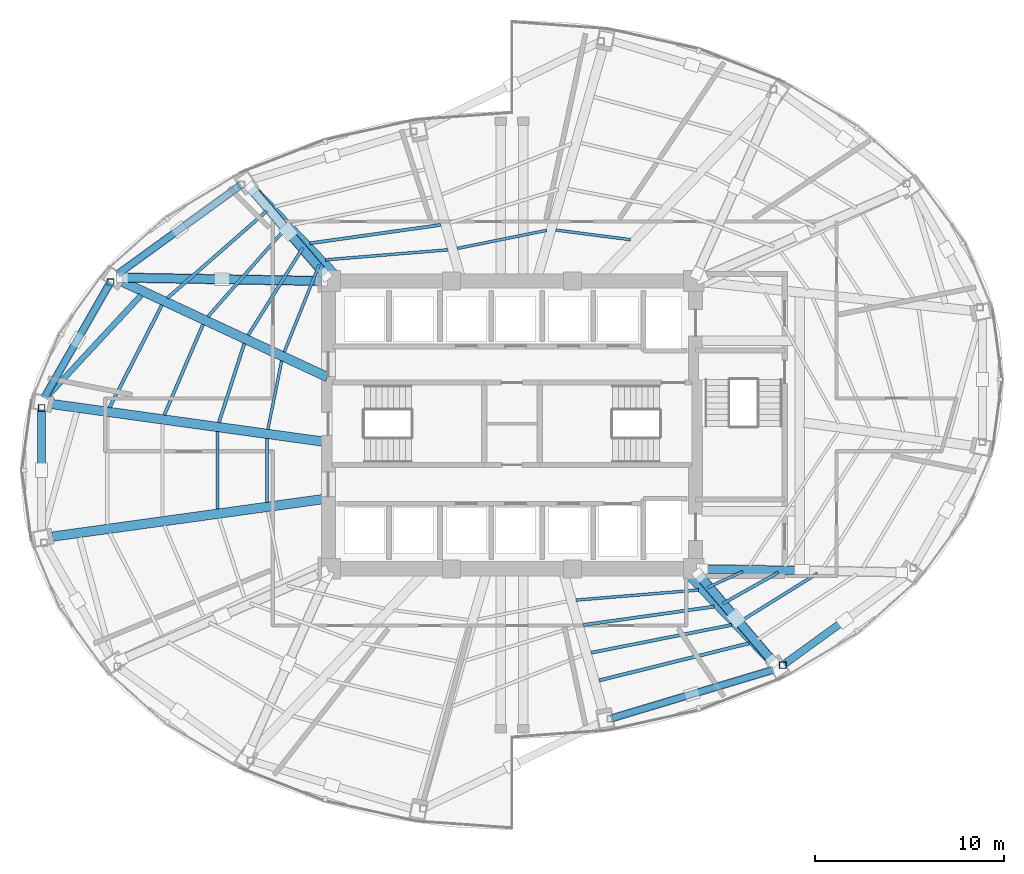
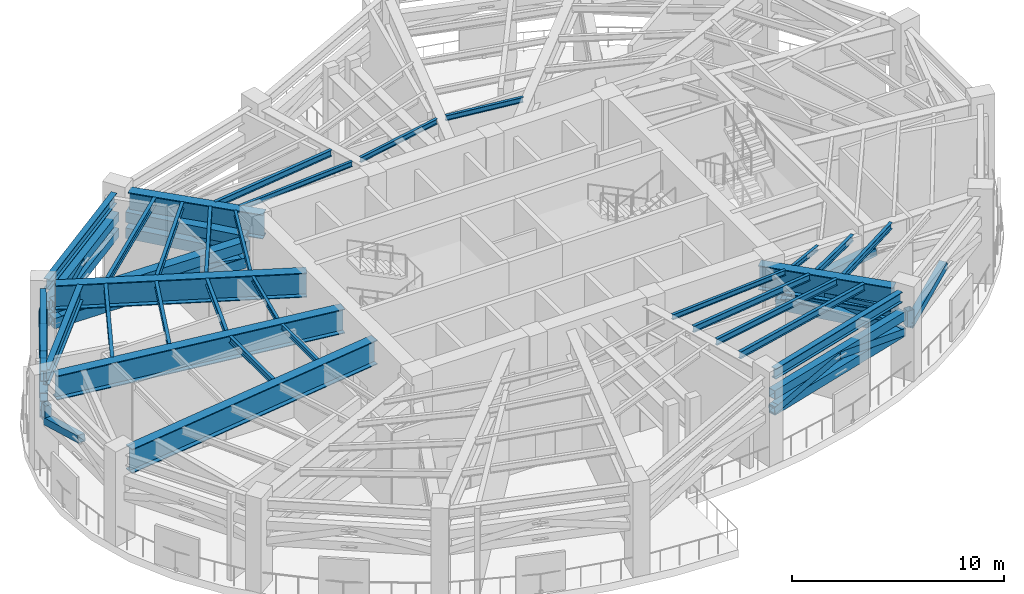
# One storey, part 3 of 12: 30 beams, 28 members.
"""IFC4 building model written with IfcOpenShell, lengths in metres."""

import ifcopenshell
import ifcopenshell.guid

model = None  # the IFC model being written
_history = None  # IfcOwnerHistory: only IFC2X3 demands one
_inside = {}  # id of a spatial element -> (the spatial element, [elements in it])
_under = {}  # id of a project, library or spatial element -> (it, [spatial elements below it])
_declared = {}  # id of a project -> (the project, [libraries it declares])
_typed = {}  # id of a type object -> (the type object, [elements of that type])
_made_of = {}  # id of a material, layer set ... -> (it, [elements and type objects made of it])


def new_model(schema):
    """Start an empty IFC model of exactly this schema.

    Asked for "IFC4X3", IfcOpenShell would pick the latest addendum, in which some entities
    have other attributes; the version numbers below select the first issue.
    IFC2X3 requires an IfcOwnerHistory on every rooted entity: one is made here for all.
    """
    global model, _history
    if schema == "IFC4X3":
        model = ifcopenshell.file(schema_version=(4, 3, 0, 0))
    else:
        model = ifcopenshell.file(schema=schema)
    _inside.clear()
    _under.clear()
    _declared.clear()
    _typed.clear()
    _made_of.clear()
    _history = None
    if model.schema == "IFC2X3":
        org = make("IfcOrganization", Name="unknown")
        user = make(
            "IfcPersonAndOrganization",
            ThePerson=make("IfcPerson", FamilyName="unknown"),
            TheOrganization=org,
        )
        app = make(
            "IfcApplication",
            ApplicationDeveloper=org,
            Version="unknown",
            ApplicationFullName="unknown",
            ApplicationIdentifier="unknown",
        )
        _history = make(
            "IfcOwnerHistory",
            OwningUser=user,
            OwningApplication=app,
            ChangeAction="ADDED",
            CreationDate=0,
        )
    return model


def make(cls, **values):
    """One entity of the class cls with the attributes given. An attribute that is None is left unset."""
    return model.create_entity(
        cls, **{name: value for name, value in values.items() if value is not None}
    )


def rooted(cls, **values):
    """An entity with a GlobalId (a new one), such as an element, a storey or a relation."""
    return make(cls, GlobalId=ifcopenshell.guid.new(), OwnerHistory=_history, **values)


def si_unit(unit_type, name, prefix=None):
    """IfcSIUnit, for example si_unit("LENGTHUNIT", "METRE", prefix="MILLI")."""
    return make("IfcSIUnit", UnitType=unit_type, Prefix=prefix, Name=name)


def assignment(units):
    """IfcUnitAssignment: the units of a project."""
    return None if units is None else make("IfcUnitAssignment", Units=units)


def point(xyz):
    """IfcCartesianPoint."""
    return None if xyz is None else make("IfcCartesianPoint", Coordinates=xyz)


def direction(xyz):
    """IfcDirection."""
    return None if xyz is None else make("IfcDirection", DirectionRatios=xyz)


def frame(location, z_axis=None, x_axis=None):
    """IfcAxis2Placement3D, a coordinate frame: its origin and axes. An axis left out is left unset."""
    return make(
        "IfcAxis2Placement3D",
        Location=point(location),
        Axis=direction(z_axis),
        RefDirection=direction(x_axis),
    )


def frame_2d(location, x_axis=None):
    """IfcAxis2Placement2D, a coordinate frame in the plane: its origin and x axis."""
    return make(
        "IfcAxis2Placement2D", Location=point(location), RefDirection=direction(x_axis)
    )


def origin():
    """The frame at (0, 0, 0) with its axes left unset."""
    return frame((0.0, 0.0, 0.0))


def origin_2d():
    """The frame at (0, 0) in the plane with its x axis left unset."""
    return frame_2d((0.0, 0.0))


def place(relative_to, where):
    """IfcLocalPlacement: puts the frame where relative to a parent placement (None: the world)."""
    return make(
        "IfcLocalPlacement", PlacementRelTo=relative_to, RelativePlacement=where
    )


def context(
    kind, dimensions, precision=None, world=None, true_north=None, identifier=None
):
    """IfcGeometricRepresentationContext, for example the 3D "Model" context."""
    return make(
        "IfcGeometricRepresentationContext",
        ContextIdentifier=identifier,
        ContextType=kind,
        CoordinateSpaceDimension=dimensions,
        Precision=precision,
        WorldCoordinateSystem=world,
        TrueNorth=true_north,
    )


def subcontext(parent, identifier, kind, view, scale=None):
    """IfcGeometricRepresentationSubContext, for example "Body" below "Model"."""
    return make(
        "IfcGeometricRepresentationSubContext",
        ContextIdentifier=identifier,
        ContextType=kind,
        ParentContext=parent,
        TargetScale=scale,
        TargetView=view,
    )


def project(units=None, contexts=None):
    """IfcProject with its units and contexts."""
    return rooted(
        "IfcProject",
        Name="project",
        RepresentationContexts=contexts,
        UnitsInContext=assignment(units),
    )


def spatial(cls, under=None, at=None, **own):
    """A site, building, storey or space (cls), placed at a placement, below another one or the project."""
    s = rooted(cls, ObjectPlacement=at, **own)
    if under is not None:
        _under.setdefault(under.id(), (under, []))[1].append(s)
    return s


def profile(cls, at=None, kind="AREA", **sizes):
    """A parametric profile (cls). Its sizes go by their IFC names, for example OverallWidth=200.0."""
    return make(cls, ProfileType=kind, Position=at, **sizes)


def hollow_rectangle(**sizes):
    """IfcRectangleHollowProfileDef."""
    return profile("IfcRectangleHollowProfileDef", **sizes)


def i_section(**sizes):
    """IfcIShapeProfileDef."""
    return profile("IfcIShapeProfileDef", **sizes)


def extrude(swept, where, along, depth):
    """IfcExtrudedAreaSolid: the profile swept, set in the frame where, extruded along a direction by depth."""
    return make(
        "IfcExtrudedAreaSolid",
        SweptArea=swept,
        Position=where,
        ExtrudedDirection=direction(along),
        Depth=depth,
    )


def shape(context_of_items, identifier, shape_type, items):
    """IfcShapeRepresentation: the items that make up one representation, for example the "Body"."""
    return make(
        "IfcShapeRepresentation",
        ContextOfItems=context_of_items,
        RepresentationIdentifier=identifier,
        RepresentationType=shape_type,
        Items=items,
    )


def material(Name=None, Category=None):
    """IfcMaterial."""
    return make("IfcMaterial", Name=Name, Category=Category)


def material_profile(
    of_material, cross_section, Name=None, Category=None, Priority=None
):
    """IfcMaterialProfile: a cross section and its material."""
    return make(
        "IfcMaterialProfile",
        Name=Name,
        Material=of_material,
        Profile=cross_section,
        Priority=Priority,
        Category=Category,
    )


def profile_set(profiles, Name=None, composite=None):
    """IfcMaterialProfileSet."""
    return make(
        "IfcMaterialProfileSet",
        Name=Name,
        MaterialProfiles=profiles,
        CompositeProfile=composite,
    )


def made_of(thing, what):
    """Note that an element or type object is made of a material, layer set ...; save() writes the relation."""
    if what is not None:
        _made_of.setdefault(what.id(), (what, []))[1].append(thing)
    return thing


def type_object(cls, material=None, **own):
    """A type object (cls), such as IfcWallType, which elements share."""
    return made_of(rooted(cls, **own), material)


def element(
    cls,
    number,
    at=None,
    inside=None,
    cuts=None,
    type_object=None,
    material=None,
    context=None,
    identifier="Body",
    shape_type=None,
    held_by="IfcProductDefinitionShape",
    body=None,
    shapes=None,
    **own,
):
    """One element of the class cls, such as IfcWall. Its Tag is "e" and its number.

    at: its placement. inside: the storey or other place that contains it. cuts: it is an
    opening in that element (IfcRelVoidsElement). A single representation is given by context,
    identifier, shape_type and body (its items); several are given by shapes. held_by: the class
    of the entity that holds the representations. save() writes the other relations.
    """
    e = rooted(cls, Tag="e%d" % number, ObjectPlacement=at, **own)
    if body is not None:
        shapes = [shape(context, identifier, shape_type, body)]
    if shapes is not None:
        e.Representation = make(held_by, Representations=shapes)
    if inside is not None:
        _inside.setdefault(inside.id(), (inside, []))[1].append(e)
    if cuts is not None:
        rooted(
            "IfcRelVoidsElement", RelatingBuildingElement=cuts, RelatedOpeningElement=e
        )
    if type_object is not None:
        _typed.setdefault(type_object.id(), (type_object, []))[1].append(e)
    return made_of(e, material)


def aggregate(whole, parts):
    """IfcRelAggregates: a whole, such as a stair, and the parts it consists of."""
    return rooted("IfcRelAggregates", RelatingObject=whole, RelatedObjects=parts)


def save(model, path):
    """Write the relations noted so far, then the file.

    IfcRelAggregates (storeys below a building ...), IfcRelContainedInSpatialStructure (elements
    in a storey), IfcRelDefinesByType, IfcRelAssociatesMaterial and IfcRelDeclares: one each for
    every whole, place, type object, material and project.
    """
    for whole, parts in _under.values():
        aggregate(whole, parts)
    for where, things in _inside.values():
        rooted(
            "IfcRelContainedInSpatialStructure",
            RelatedElements=things,
            RelatingStructure=where,
        )
    for kind, things in _typed.values():
        rooted("IfcRelDefinesByType", RelatedObjects=things, RelatingType=kind)
    for what, things in _made_of.values():
        rooted("IfcRelAssociatesMaterial", RelatedObjects=things, RelatingMaterial=what)
    for by, libraries in _declared.values():
        rooted("IfcRelDeclares", RelatingContext=by, RelatedDefinitions=libraries)
    model.write(path)


model = new_model("IFC4")

# Units and contexts
model_context = context("Model", 3, precision=1e-05, world=origin(), true_north=direction((0.0, 1.0)))
body_context = subcontext(model_context, "Body", "Model", "MODEL_VIEW")
ifc_project = project(units=[si_unit("LENGTHUNIT", "METRE"), si_unit("AREAUNIT", "SQUARE_METRE"), si_unit("VOLUMEUNIT", "CUBIC_METRE"), si_unit("PLANEANGLEUNIT", "RADIAN"), si_unit("MASSUNIT", "GRAM", prefix="KILO")], contexts=[model_context])

# Site, building, storey
site_placement = place(None, origin())
site = spatial("IfcSite", under=ifc_project, at=site_placement, CompositionType="ELEMENT")
building_placement = place(site_placement, origin())
building = spatial("IfcBuilding", under=site, at=building_placement, Name="Lazwardi Medical Tower", CompositionType="ELEMENT")
storey_placement = place(building_placement, frame((0.0, 0.0, 132.81591796875)))
storey = spatial("IfcBuildingStorey", under=building, at=storey_placement, Name="L34", CompositionType="ELEMENT", Elevation=132.81591796875)

# Beams
ifc_material_1 = material(Name="Steel S460", Category="steel")
ifc_material_profile_1 = material_profile(ifc_material_1, i_section(OverallWidth=0.300048828125, OverallDepth=0.89990234375, WebThickness=0.0185546875, FlangeThickness=0.034912109375, at=origin_2d()), Name="HEB 900")
ifc_profile_set_1 = profile_set([ifc_material_profile_1], Name="Steel S460")
beam_type_1 = type_object("IfcBeamType", Name="BM-HB-01", PredefinedType="BEAM", material=ifc_profile_set_1)
beam_1_placement = place(storey_placement, frame((16.397705078125, 34.851318359375, 4.572021484375), z_axis=(-0.680069939556, -0.733147241222, 0.0), x_axis=(0.733147241222, -0.680069939556, 0.0)))
element("IfcBeam", 1, at=beam_1_placement, inside=storey, type_object=beam_type_1, Name="Transfer girder tie HB-01 M11 L34", PredefinedType="BEAM", context=body_context, shape_type="SweptSolid", body=[
    extrude(i_section(OverallWidth=0.300048828125, OverallDepth=0.89990234375, WebThickness=0.0185546875, FlangeThickness=0.034912109375, at=origin_2d()), origin(), (0.0, 0.0, 1.0), 7.175537109375),
])
ifc_material_2 = material(Name="Steel S355", Category="steel")
ifc_material_profile_2 = material_profile(ifc_material_2, i_section(OverallWidth=0.300048828125, OverallDepth=0.60009765625, WebThickness=0.015380859375, FlangeThickness=0.030029296875, at=origin_2d()), Name="HEB 600")
ifc_profile_set_2 = profile_set([ifc_material_profile_2], Name="Steel S355")
beam_type_2 = type_object("IfcBeamType", Name="BM-RB-Z2", PredefinedType="BEAM", material=ifc_profile_set_2)
beam_2_placement = place(storey_placement, frame((41.338134765625, 12.5205078125, 4.72216796875), z_axis=(0.957879438442, 0.287170648587, 0.0), x_axis=(-0.287170648587, 0.957879438442, 0.0)))
element("IfcBeam", 2, at=beam_2_placement, inside=storey, type_object=beam_type_2, Name="Ring beam RB-03 B01 L34", PredefinedType="BEAM", context=body_context, shape_type="SweptSolid", body=[
    extrude(i_section(OverallWidth=0.300048828125, OverallDepth=0.60009765625, WebThickness=0.015380859375, FlangeThickness=0.030029296875, at=origin_2d()), origin(), (0.0, 0.0, 1.0), 8.719970703125),
])
beam_3_placement = place(storey_placement, frame((21.584228515625, 40.6171875, 4.72216796875), z_axis=(-0.810041907649, -0.586371987609, 0.0), x_axis=(0.586371987609, -0.810041907649, 0.0)))
element("IfcBeam", 3, at=beam_3_placement, inside=storey, type_object=beam_type_2, Name="Ring beam RB-03 B10 L34", PredefinedType="BEAM", context=body_context, shape_type="SweptSolid", body=[
    extrude(i_section(OverallWidth=0.300048828125, OverallDepth=0.60009765625, WebThickness=0.015380859375, FlangeThickness=0.030029296875, at=origin_2d()), origin(), (0.0, 0.0, 1.0), 7.814208984375),
])
beam_4_placement = place(storey_placement, frame((14.718505859375, 35.438720703125, 4.72216796875), z_axis=(-0.496653025517, -0.867949176072, 0.0), x_axis=(0.867949176072, -0.496653025517, 0.0)))
element("IfcBeam", 4, at=beam_4_placement, inside=storey, type_object=beam_type_2, Name="Ring beam RB-03 B11 L34", PredefinedType="BEAM", context=body_context, shape_type="SweptSolid", body=[
    extrude(i_section(OverallWidth=0.300048828125, OverallDepth=0.60009765625, WebThickness=0.015380859375, FlangeThickness=0.030029296875, at=origin_2d()), origin(), (0.0, 0.0, 1.0), 6.80078125),
])
ifc_material_profile_3 = material_profile(ifc_material_2, i_section(OverallWidth=0.179931640625, OverallDepth=0.39990234375, WebThickness=0.008544921875, FlangeThickness=0.013427734375, at=origin_2d()), Name="IPE 400")
ifc_profile_set_3 = profile_set([ifc_material_profile_3], Name="Steel S355")
beam_type_3 = type_object("IfcBeamType", Name="BM-SJ-01", PredefinedType="JOIST", material=ifc_profile_set_3)
beam_5_placement = place(storey_placement, frame((40.601806640625, 14.4970703125, 4.822021484375), z_axis=(0.970657538823, 0.240466093922, 0.0), x_axis=(-0.240466093922, 0.970657538823, 0.0)))
element("IfcBeam", 5, at=beam_5_placement, inside=storey, type_object=beam_type_3, Name="Secondary joist SJ-01 R1 B01 L34", PredefinedType="JOIST", context=body_context, shape_type="SweptSolid", body=[
    extrude(i_section(OverallWidth=0.179931640625, OverallDepth=0.39990234375, WebThickness=0.008544921875, FlangeThickness=0.013427734375, at=origin_2d()), origin(), (0.0, 0.0, 1.0), 8.162841796875),
])
beam_6_placement = place(storey_placement, frame((23.052978515625, 39.319580078125, 4.822021484375), z_axis=(-0.751862898408, -0.659319484012, 0.0), x_axis=(0.659319484012, -0.751862898408, 0.0)))
element("IfcBeam", 6, at=beam_6_placement, inside=storey, type_object=beam_type_3, Name="Secondary joist SJ-01 R1 B10 L34", PredefinedType="JOIST", context=body_context, shape_type="SweptSolid", body=[
    extrude(i_section(OverallWidth=0.179931640625, OverallDepth=0.39990234375, WebThickness=0.008544921875, FlangeThickness=0.013427734375, at=origin_2d()), origin(), (0.0, 0.0, 1.0), 6.996337890625),
])
beam_7_placement = place(storey_placement, frame((17.4970703125, 34.326904296875, 4.822021484375), z_axis=(-0.455214402381, -0.890381855085, 0.0), x_axis=(0.890381855085, -0.455214402381, 0.0)))
element("IfcBeam", 7, at=beam_7_placement, inside=storey, type_object=beam_type_3, Name="Secondary joist SJ-01 R1 B11 L34", PredefinedType="JOIST", context=body_context, shape_type="SweptSolid", body=[
    extrude(i_section(OverallWidth=0.179931640625, OverallDepth=0.39990234375, WebThickness=0.008544921875, FlangeThickness=0.013427734375, at=origin_2d()), origin(), (0.0, 0.0, 1.0), 6.0771484375),
])
ifc_material_profile_4 = material_profile(ifc_material_2, i_section(OverallWidth=0.169921875, OverallDepth=0.360107421875, WebThickness=0.008056640625, FlangeThickness=0.0126953125, at=origin_2d()), Name="IPE 360")
ifc_profile_set_4 = profile_set([ifc_material_profile_4], Name="Steel S355")
beam_type_4 = type_object("IfcBeamType", Name="BM-SJ-02", PredefinedType="JOIST", material=ifc_profile_set_4)
beam_8_placement = place(storey_placement, frame((40.181884765625, 15.963623046875, 4.842041015625), z_axis=(0.981054420919, 0.193732349379, 0.0), x_axis=(-0.193732349379, 0.981054420919, 0.0)))
element("IfcBeam", 8, at=beam_8_placement, inside=storey, type_object=beam_type_4, Name="Secondary joist SJ-02 R2 B01 L34", PredefinedType="JOIST", context=body_context, shape_type="SweptSolid", body=[
    extrude(i_section(OverallWidth=0.169921875, OverallDepth=0.360107421875, WebThickness=0.008056640625, FlangeThickness=0.0126953125, at=origin_2d()), origin(), (0.0, 0.0, 1.0), 7.56494140625),
])
beam_9_placement = place(storey_placement, frame((48.0517578125, 17.606201171875, 4.842041015625), z_axis=(0.84877387539, 0.528756000869, 0.0), x_axis=(-0.528756000869, 0.84877387539, 0.0)))
element("IfcBeam", 9, at=beam_9_placement, inside=storey, type_object=beam_type_4, Name="Secondary joist SJ-02 R2 B02 L34", PredefinedType="JOIST", context=body_context, shape_type="SweptSolid", body=[
    extrude(i_section(OverallWidth=0.169921875, OverallDepth=0.360107421875, WebThickness=0.008056640625, FlangeThickness=0.0126953125, at=origin_2d()), origin(), (0.0, 0.0, 1.0), 4.822265625),
])
beam_10_placement = place(storey_placement, frame((23.994384765625, 38.339599609375, 4.842041015625), z_axis=(-0.660797926531, -0.750563854907, 0.0), x_axis=(0.750563854907, -0.660797926531, 0.0)))
element("IfcBeam", 10, at=beam_10_placement, inside=storey, type_object=beam_type_4, Name="Secondary joist SJ-02 R2 B10 L34", PredefinedType="JOIST", context=body_context, shape_type="SweptSolid", body=[
    extrude(i_section(OverallWidth=0.169921875, OverallDepth=0.360107421875, WebThickness=0.008056640625, FlangeThickness=0.0126953125, at=origin_2d()), origin(), (0.0, 0.0, 1.0), 6.1494140625),
])
beam_11_placement = place(storey_placement, frame((19.672607421875, 33.31494140625, 4.842041015625), z_axis=(-0.393037541481, -0.919522425494, 0.0), x_axis=(0.919522425494, -0.393037541481, 0.0)))
element("IfcBeam", 11, at=beam_11_placement, inside=storey, type_object=beam_type_4, Name="Secondary joist SJ-02 R2 B11 L34", PredefinedType="JOIST", context=body_context, shape_type="SweptSolid", body=[
    extrude(i_section(OverallWidth=0.169921875, OverallDepth=0.360107421875, WebThickness=0.008056640625, FlangeThickness=0.0126953125, at=origin_2d()), origin(), (0.0, 0.0, 1.0), 5.214111328125),
])
beam_12_placement = place(storey_placement, frame((39.761962890625, 17.42822265625, 4.842041015625), z_axis=(0.990275239087, 0.139122071763, 0.0), x_axis=(-0.139122071763, 0.990275239087, 0.0)))
element("IfcBeam", 12, at=beam_12_placement, inside=storey, type_object=beam_type_4, Name="Secondary joist SJ-02 R3 B01 L34", PredefinedType="JOIST", context=body_context, shape_type="SweptSolid", body=[
    extrude(i_section(OverallWidth=0.169921875, OverallDepth=0.360107421875, WebThickness=0.008056640625, FlangeThickness=0.0126953125, at=origin_2d()), origin(), (0.0, 0.0, 1.0), 6.98779296875),
])
beam_13_placement = place(storey_placement, frame((47.13818359375, 18.554443359375, 4.842041015625), z_axis=(0.871719133589, 0.49000586949, 0.0), x_axis=(-0.49000586949, 0.871719133589, 0.0)))
element("IfcBeam", 13, at=beam_13_placement, inside=storey, type_object=beam_type_4, Name="Secondary joist SJ-02 R3 B02 L34", PredefinedType="JOIST", context=body_context, shape_type="SweptSolid", body=[
    extrude(i_section(OverallWidth=0.169921875, OverallDepth=0.360107421875, WebThickness=0.008056640625, FlangeThickness=0.0126953125, at=origin_2d()), origin(), (0.0, 0.0, 1.0), 3.359130859375),
])
beam_14_placement = place(storey_placement, frame((32.238037109375, 38.57177734375, 4.842041015625), z_axis=(-0.990275239087, -0.139122071763, 0.0), x_axis=(0.139122071763, -0.990275239087, 0.0)))
element("IfcBeam", 14, at=beam_14_placement, inside=storey, type_object=beam_type_4, Name="Secondary joist SJ-02 R3 B09 L34", PredefinedType="JOIST", context=body_context, shape_type="SweptSolid", body=[
    extrude(i_section(OverallWidth=0.169921875, OverallDepth=0.360107421875, WebThickness=0.008056640625, FlangeThickness=0.0126953125, at=origin_2d()), origin(), (0.0, 0.0, 1.0), 6.98779296875),
])
beam_15_placement = place(storey_placement, frame((24.945556640625, 37.35791015625, 4.842041015625), z_axis=(-0.530277090425, -0.847824396541, 0.0), x_axis=(0.847824396541, -0.530277090425, 0.0)))
element("IfcBeam", 15, at=beam_15_placement, inside=storey, type_object=beam_type_4, Name="Secondary joist SJ-02 R3 B10 L34", PredefinedType="JOIST", context=body_context, shape_type="SweptSolid", body=[
    extrude(i_section(OverallWidth=0.169921875, OverallDepth=0.360107421875, WebThickness=0.008056640625, FlangeThickness=0.0126953125, at=origin_2d()), origin(), (0.0, 0.0, 1.0), 5.443359375),
])
beam_16_placement = place(storey_placement, frame((21.854248046875, 32.302001953125, 4.842041015625), z_axis=(-0.30644505633, -0.951888348206, 0.0), x_axis=(0.951888348206, -0.30644505633, 0.0)))
element("IfcBeam", 16, at=beam_16_placement, inside=storey, type_object=beam_type_4, Name="Secondary joist SJ-02 R3 B11 L34", PredefinedType="JOIST", context=body_context, shape_type="SweptSolid", body=[
    extrude(i_section(OverallWidth=0.169921875, OverallDepth=0.360107421875, WebThickness=0.008056640625, FlangeThickness=0.0126953125, at=origin_2d()), origin(), (0.0, 0.0, 1.0), 4.387451171875),
])
beam_17_placement = place(storey_placement, frame((20.4345703125, 27.6474609375, 4.842041015625), z_axis=(0.0, -1.0, 0.0), x_axis=(1.0, 0.0, 0.0)))
element("IfcBeam", 17, at=beam_17_placement, inside=storey, type_object=beam_type_4, Name="Secondary joist SJ-02 R3 B12 L34", PredefinedType="JOIST", context=body_context, shape_type="SweptSolid", body=[
    extrude(i_section(OverallWidth=0.169921875, OverallDepth=0.360107421875, WebThickness=0.008056640625, FlangeThickness=0.0126953125, at=origin_2d()), origin(), (0.0, 0.0, 1.0), 4.094970703125),
])
ifc_material_profile_5 = material_profile(ifc_material_2, i_section(OverallWidth=0.14990234375, OverallDepth=0.300048828125, WebThickness=0.007080078125, FlangeThickness=0.0107421875, at=origin_2d()), Name="IPE 300")
ifc_profile_set_5 = profile_set([ifc_material_profile_5], Name="Steel S355")
beam_type_5 = type_object("IfcBeamType", Name="BM-SJ-03", PredefinedType="JOIST", material=ifc_profile_set_5)
beam_18_placement = place(storey_placement, frame((39.383544921875, 18.744384765625, 4.8720703125), z_axis=(0.996636202324, 0.081952914633, 0.0), x_axis=(-0.081952914633, 0.996636202324, 0.0)))
element("IfcBeam", 18, at=beam_18_placement, inside=storey, type_object=beam_type_5, Name="Secondary joist SJ-03 R4 B01 L34", PredefinedType="JOIST", context=body_context, shape_type="SweptSolid", body=[
    extrude(i_section(OverallWidth=0.14990234375, OverallDepth=0.300048828125, WebThickness=0.007080078125, FlangeThickness=0.0107421875, at=origin_2d()), origin(), (0.0, 0.0, 1.0), 6.4912109375),
])
beam_19_placement = place(storey_placement, frame((46.3203125, 19.39794921875, 4.8720703125), z_axis=(0.910032817628, 0.414536211735, 0.0), x_axis=(-0.414536211735, 0.910032817628, 0.0)))
element("IfcBeam", 19, at=beam_19_placement, inside=storey, type_object=beam_type_5, Name="Secondary joist SJ-03 R4 B02 L34", PredefinedType="JOIST", context=body_context, shape_type="SweptSolid", body=[
    extrude(i_section(OverallWidth=0.14990234375, OverallDepth=0.300048828125, WebThickness=0.007080078125, FlangeThickness=0.0107421875, at=origin_2d()), origin(), (0.0, 0.0, 1.0), 2.056640625),
])
beam_20_placement = place(storey_placement, frame((42.26123046875, 37.791015625, 4.8720703125), z_axis=(-0.991784393123, 0.127920747175, 0.0), x_axis=(-0.127920747175, -0.991784393123, 0.0)))
element("IfcBeam", 20, at=beam_20_placement, inside=storey, type_object=beam_type_5, Name="Secondary joist SJ-03 R4 B07 L34", PredefinedType="JOIST", context=body_context, shape_type="SweptSolid", body=[
    extrude(i_section(OverallWidth=0.14990234375, OverallDepth=0.300048828125, WebThickness=0.007080078125, FlangeThickness=0.0107421875, at=origin_2d()), origin(), (0.0, 0.0, 1.0), 3.981201171875),
])
beam_21_placement = place(storey_placement, frame((37.82958984375, 38.283203125, 4.8720703125), z_axis=(-0.980061586552, -0.198693952008, 0.0), x_axis=(0.198693952008, -0.980061586552, 0.0)))
element("IfcBeam", 21, at=beam_21_placement, inside=storey, type_object=beam_type_5, Name="Secondary joist SJ-03 R4 B08 L34", PredefinedType="JOIST", context=body_context, shape_type="SweptSolid", body=[
    extrude(i_section(OverallWidth=0.14990234375, OverallDepth=0.300048828125, WebThickness=0.007080078125, FlangeThickness=0.0107421875, at=origin_2d()), origin(), (0.0, 0.0, 1.0), 4.8251953125),
])
beam_22_placement = place(storey_placement, frame((32.616455078125, 37.255615234375, 4.8720703125), z_axis=(-0.996636202324, -0.081952914633, 0.0), x_axis=(0.081952914633, -0.996636202324, 0.0)))
element("IfcBeam", 22, at=beam_22_placement, inside=storey, type_object=beam_type_5, Name="Secondary joist SJ-03 R4 B09 L34", PredefinedType="JOIST", context=body_context, shape_type="SweptSolid", body=[
    extrude(i_section(OverallWidth=0.14990234375, OverallDepth=0.300048828125, WebThickness=0.007080078125, FlangeThickness=0.0107421875, at=origin_2d()), origin(), (0.0, 0.0, 1.0), 6.4912109375),
])
beam_23_placement = place(storey_placement, frame((25.811767578125, 36.47607421875, 4.8720703125), z_axis=(-0.371407603544, -0.92846991983, 0.0), x_axis=(0.92846991983, -0.371407603544, 0.0)))
element("IfcBeam", 23, at=beam_23_placement, inside=storey, type_object=beam_type_5, Name="Secondary joist SJ-03 R4 B10 L34", PredefinedType="JOIST", context=body_context, shape_type="SweptSolid", body=[
    extrude(i_section(OverallWidth=0.14990234375, OverallDepth=0.300048828125, WebThickness=0.007080078125, FlangeThickness=0.0107421875, at=origin_2d()), origin(), (0.0, 0.0, 1.0), 4.973388671875),
])
beam_24_placement = place(storey_placement, frame((23.825439453125, 31.390625, 4.8720703125), z_axis=(-0.196586610155, -0.980486463297, 0.0), x_axis=(0.980486463297, -0.196586610155, 0.0)))
element("IfcBeam", 24, at=beam_24_placement, inside=storey, type_object=beam_type_5, Name="Secondary joist SJ-03 R4 B11 L34", PredefinedType="JOIST", context=body_context, shape_type="SweptSolid", body=[
    extrude(i_section(OverallWidth=0.14990234375, OverallDepth=0.300048828125, WebThickness=0.007080078125, FlangeThickness=0.0107421875, at=origin_2d()), origin(), (0.0, 0.0, 1.0), 3.692138671875),
])
beam_25_placement = place(storey_placement, frame((23.051513671875, 27.28515625, 4.8720703125), z_axis=(0.0, -1.0, 0.0), x_axis=(1.0, 0.0, 0.0)))
element("IfcBeam", 25, at=beam_25_placement, inside=storey, type_object=beam_type_5, Name="Secondary joist SJ-03 R4 B12 L34", PredefinedType="JOIST", context=body_context, shape_type="SweptSolid", body=[
    extrude(i_section(OverallWidth=0.14990234375, OverallDepth=0.300048828125, WebThickness=0.007080078125, FlangeThickness=0.0107421875, at=origin_2d()), origin(), (0.0, 0.0, 1.0), 3.370361328125),
])
ifc_material_profile_6 = material_profile(ifc_material_1, i_section(OverallWidth=0.5, OverallDepth=1.39990234375, WebThickness=0.028076171875, FlangeThickness=0.044921875, at=origin_2d()), Name="PG 1400x500")
ifc_profile_set_6 = profile_set([ifc_material_profile_6], Name="Steel S460")
beam_type_6 = type_object("IfcBeamType", Name="BM-TG-01", PredefinedType="BEAM", material=ifc_profile_set_6)
for number, where, z_axis, x_axis, name in (
    (26, (49.68212890625, 15.56103515625, 4.322021484375), (-0.692410081349, 0.72150417826, 0.0), (-0.72150417826, -0.692410081349, 0.0), "Transfer girder TG-01 M02 L34"),
    (27, (22.31787109375, 40.43896484375, 4.322021484375), (0.692410081349, -0.72150417826, 0.0), (0.72150417826, 0.692410081349, 0.0), "Transfer girder TG-01 M10 L34"),
):
    element("IfcBeam", number, at=place(storey_placement, frame(where, z_axis=z_axis, x_axis=x_axis)), inside=storey, type_object=beam_type_6, Name=name, PredefinedType="BEAM", context=body_context, shape_type="SweptSolid", body=[
        extrude(i_section(OverallWidth=0.5, OverallDepth=1.39990234375, WebThickness=0.028076171875, FlangeThickness=0.044921875, at=origin_2d()), origin(), (0.0, 0.0, 1.0), 6.6376953125),
    ])
beam_26_placement = place(storey_placement, frame((15.447998046875, 35.550048828125, 4.322021484375), z_axis=(0.906705985416, -0.421763270106, 0.0), x_axis=(0.421763270106, 0.906705985416, 0.0)))
element("IfcBeam", 28, at=beam_26_placement, inside=storey, type_object=beam_type_6, Name="Transfer girder TG-01 M11 L34", PredefinedType="BEAM", context=body_context, shape_type="SweptSolid", body=[
    extrude(i_section(OverallWidth=0.5, OverallDepth=1.39990234375, WebThickness=0.028076171875, FlangeThickness=0.044921875, at=origin_2d()), origin(), (0.0, 0.0, 1.0), 11.91357421875),
])
for number, where, z_axis, x_axis, name in (
    (29, (11.711669921875, 29.100341796875, 4.322021484375), (0.990550423035, -0.137149040923, 0.0), (0.137149040923, 0.990550423035, 0.0), "Transfer girder TG-01 M12 L34"),
    (30, (11.711669921875, 22.099609375, 4.322021484375), (0.990548163098, 0.137165362187, 0.0), (-0.137165362187, 0.990548163098, 0.0), "Transfer girder TG-01 M13 L34"),
):
    element("IfcBeam", number, at=place(storey_placement, frame(where, z_axis=z_axis, x_axis=x_axis)), inside=storey, type_object=beam_type_6, Name=name, PredefinedType="BEAM", context=body_context, shape_type="SweptSolid", body=[
        extrude(i_section(OverallWidth=0.5, OverallDepth=1.39990234375, WebThickness=0.028076171875, FlangeThickness=0.044921875, at=origin_2d()), origin(), (0.0, 0.0, 1.0), 14.677001953125),
    ])

# Members
ifc_material_profile_7 = material_profile(ifc_material_1, hollow_rectangle(XDim=0.39990234375, YDim=0.5, WallThickness=0.02490234375, at=origin_2d()), Name="RHS 500x400x25")
ifc_profile_set_7 = profile_set([ifc_material_profile_7], Name="Steel S460")
member_type_1 = type_object("IfcMemberType", Name="MEM-BC-01", PredefinedType="CHORD", material=ifc_profile_set_7)
for number, where, z_axis, x_axis, name in (
    (31, (41.213623046875, 12.48291015625, 2.68017578125), (0.957870421192, 0.28720072459, 0.0), (-0.28720072459, 0.957870421192, 0.0), "Belt truss bottom chord BC-01 B01 L34"),
    (32, (41.213623046875, 12.48291015625, 3.60009765625), (0.957870421192, 0.28720072459, 0.0), (-0.28720072459, 0.957870421192, 0.0), "Belt truss top chord BC-01 B01 L34"),
):
    element("IfcMember", number, at=place(storey_placement, frame(where, z_axis=z_axis, x_axis=x_axis)), inside=storey, type_object=member_type_1, Name=name, PredefinedType="CHORD", context=body_context, shape_type="SweptSolid", body=[
        extrude(hollow_rectangle(XDim=0.39990234375, YDim=0.5, WallThickness=0.02490234375, at=origin_2d()), origin(), (0.0, 0.0, 1.0), 8.980224609375),
    ])
for number, where, z_axis, x_axis, name in (
    (33, (21.689453125, 40.693359375, 2.68017578125), (-0.81005206471, -0.586357955911, 0.0), (0.586357955911, -0.81005206471, 0.0), "Belt truss bottom chord BC-01 B10 L34"),
    (34, (21.689453125, 40.693359375, 3.60009765625), (-0.81005206471, -0.586357955911, 0.0), (0.586357955911, -0.81005206471, 0.0), "Belt truss top chord BC-01 B10 L34"),
):
    element("IfcMember", number, at=place(storey_placement, frame(where, z_axis=z_axis, x_axis=x_axis)), inside=storey, type_object=member_type_1, Name=name, PredefinedType="CHORD", context=body_context, shape_type="SweptSolid", body=[
        extrude(hollow_rectangle(XDim=0.39990234375, YDim=0.5, WallThickness=0.02490234375, at=origin_2d()), origin(), (0.0, 0.0, 1.0), 8.07421875),
    ])
for number, where, z_axis, x_axis, name in (
    (35, (14.783203125, 35.5517578125, 2.68017578125), (-0.496656397323, -0.867947246668, 0.0), (0.867947246668, -0.496656397323, 0.0), "Belt truss bottom chord BC-01 B11 L34"),
    (36, (14.783203125, 35.5517578125, 3.60009765625), (-0.496656397323, -0.867947246668, 0.0), (0.867947246668, -0.496656397323, 0.0), "Belt truss top chord BC-01 B11 L34"),
):
    element("IfcMember", number, at=place(storey_placement, frame(where, z_axis=z_axis, x_axis=x_axis)), inside=storey, type_object=member_type_1, Name=name, PredefinedType="CHORD", context=body_context, shape_type="SweptSolid", body=[
        extrude(hollow_rectangle(XDim=0.39990234375, YDim=0.5, WallThickness=0.02490234375, at=origin_2d()), origin(), (0.0, 0.0, 1.0), 7.061279296875),
    ])
ifc_material_profile_8 = material_profile(ifc_material_1, hollow_rectangle(XDim=0.39990234375, YDim=0.39990234375, WallThickness=0.02001953125, at=origin_2d()), Name="RHS 400x400x20")
ifc_profile_set_8 = profile_set([ifc_material_profile_8], Name="Steel S460")
member_type_2 = type_object("IfcMemberType", Name="MEM-BD-01", PredefinedType="BRACE", material=ifc_profile_set_8)
member_1_placement = place(storey_placement, frame((41.213623046875, 12.48291015625, 2.68017578125), z_axis=(0.938381587098, 0.281349352503, 0.200705104171), x_axis=(-0.287193245674, 0.957872663583, 0.0)))
element("IfcMember", 37, at=member_1_placement, inside=storey, type_object=member_type_2, Name="Belt truss diagonal BD-01 B01A L34", PredefinedType="BRACE", context=body_context, shape_type="SweptSolid", body=[
    extrude(hollow_rectangle(XDim=0.39990234375, YDim=0.39990234375, WallThickness=0.02001953125, at=origin_2d()), origin(), (0.0, 0.0, 1.0), 4.58349609375),
])
member_2_placement = place(storey_placement, frame((49.8154296875, 15.06201171875, 2.68017578125), z_axis=(-0.938375224568, -0.281363415995, 0.20071513659), x_axis=(0.287208203877, -0.957868178627, 0.0)))
element("IfcMember", 38, at=member_2_placement, inside=storey, type_object=member_type_2, Name="Belt truss diagonal BD-01 B01B L34", PredefinedType="BRACE", context=body_context, shape_type="SweptSolid", body=[
    extrude(hollow_rectangle(XDim=0.39990234375, YDim=0.39990234375, WallThickness=0.02001953125, at=origin_2d()), origin(), (0.0, 0.0, 1.0), 4.583251953125),
])
for number, where, z_axis, x_axis, name in (
    (39, (50.310546875, 15.306640625, 2.68017578125), (0.789806852762, 0.571703415034, 0.222171871684), (-0.586357955911, 0.81005206471, 0.0), "Belt truss diagonal BD-01 B02A L34"),
    (40, (15.14892578125, 35.958984375, 2.68017578125), (0.789806852762, 0.571703415034, 0.222171871684), (-0.586357955911, 0.81005206471, 0.0), "Belt truss diagonal BD-01 B10B L34"),
):
    element("IfcMember", number, at=place(storey_placement, frame(where, z_axis=z_axis, x_axis=x_axis)), inside=storey, type_object=member_type_2, Name=name, PredefinedType="BRACE", context=body_context, shape_type="SweptSolid", body=[
        extrude(hollow_rectangle(XDim=0.39990234375, YDim=0.39990234375, WallThickness=0.02001953125, at=origin_2d()), origin(), (0.0, 0.0, 1.0), 4.140625),
    ])
member_3_placement = place(storey_placement, frame((14.783203125, 35.5517578125, 2.68017578125), z_axis=(-0.480585055408, -0.839919745959, 0.252136520297), x_axis=(0.867962150428, -0.49663035089, 0.0)))
element("IfcMember", 41, at=member_3_placement, inside=storey, type_object=member_type_2, Name="Belt truss diagonal BD-01 B11A L34", PredefinedType="BRACE", context=body_context, shape_type="SweptSolid", body=[
    extrude(hollow_rectangle(XDim=0.39990234375, YDim=0.39990234375, WallThickness=0.02001953125, at=origin_2d()), origin(), (0.0, 0.0, 1.0), 3.6484375),
])
member_4_placement = place(storey_placement, frame((11.276123046875, 29.4228515625, 2.68017578125), z_axis=(0.480636513267, 0.839892734863, 0.252128411804), x_axis=(-0.867932342639, 0.496682442413, 0.0)))
element("IfcMember", 42, at=member_4_placement, inside=storey, type_object=member_type_2, Name="Belt truss diagonal BD-01 B11B L34", PredefinedType="BRACE", context=body_context, shape_type="SweptSolid", body=[
    extrude(hollow_rectangle(XDim=0.39990234375, YDim=0.39990234375, WallThickness=0.02001953125, at=origin_2d()), origin(), (0.0, 0.0, 1.0), 3.648681640625),
])
member_5_placement = place(storey_placement, frame((11.13720703125, 28.89990234375, 2.68017578125), z_axis=(0.0, -0.963268357906, 0.268540631296), x_axis=(1.0, 0.0, 0.0)))
element("IfcMember", 43, at=member_5_placement, inside=storey, type_object=member_type_2, Name="Belt truss diagonal BD-01 B12A L34", PredefinedType="BRACE", context=body_context, shape_type="SweptSolid", body=[
    extrude(hollow_rectangle(XDim=0.39990234375, YDim=0.39990234375, WallThickness=0.02001953125, at=origin_2d()), origin(), (0.0, 0.0, 1.0), 3.425537109375),
])
ifc_material_profile_9 = material_profile(ifc_material_2, hollow_rectangle(XDim=0.35009765625, YDim=0.35009765625, WallThickness=0.01611328125, at=origin_2d()), Name="RHS 350x350x16")
ifc_profile_set_9 = profile_set([ifc_material_profile_9], Name="Steel S355")
member_type_3 = type_object("IfcMemberType", Name="MEM-BV-01", PredefinedType="POST", material=ifc_profile_set_9)
for number, where, z_axis, x_axis, name in (
    (44, (50.310546875, 15.306640625, 2.68017578125), (0.0, 0.0, 1.0), (1.0, 0.0, 0.0), "Belt truss post BV-01 B02 L34"),
    (45, (14.783203125, 35.5517578125, 2.68017578125), (0.0, 0.0, 1.0), (1.0, 0.0, 0.0), "Belt truss post BV-01 B11 L34"),
    (46, (11.13720703125, 28.89990234375, 2.68017578125), (0.0, 0.0, 1.0), (1.0, 0.0, 0.0), "Belt truss post BV-01 B12 L34"),
):
    element("IfcMember", number, at=place(storey_placement, frame(where, z_axis=z_axis, x_axis=x_axis)), inside=storey, type_object=member_type_3, Name=name, PredefinedType="POST", context=body_context, shape_type="SweptSolid", body=[
        extrude(hollow_rectangle(XDim=0.35009765625, YDim=0.35009765625, WallThickness=0.01611328125, at=origin_2d()), origin(), (0.0, 0.0, 1.0), 0.919921875),
    ])
ifc_material_profile_10 = material_profile(ifc_material_1, hollow_rectangle(XDim=0.5, YDim=0.60009765625, WallThickness=0.030029296875, at=origin_2d()), Name="RHS 600x500x30")
ifc_profile_set_10 = profile_set([ifc_material_profile_10], Name="Steel S460")
member_type_4 = type_object("IfcMemberType", Name="MEM-OC-01", PredefinedType="CHORD", material=ifc_profile_set_10)
for number, where, z_axis, x_axis, name in (
    (47, (45.89208984375, 20.0576171875, 2.68017578125), (0.648889603634, -0.760882568006, 0.0), (0.760882568006, 0.648889603634, 0.0), "Outrigger truss bottom chord OC-01 OR3 L34"),
    (48, (45.89208984375, 20.0576171875, 3.60009765625), (0.648889603634, -0.760882568006, 0.0), (0.760882568006, 0.648889603634, 0.0), "Outrigger truss top chord OC-01 OR3 L34"),
    (49, (26.10791015625, 35.9423828125, 2.68017578125), (-0.648889603634, 0.760882568006, 0.0), (-0.760882568006, -0.648889603634, 0.0), "Outrigger truss bottom chord OC-01 OR7 L34"),
    (50, (26.10791015625, 35.9423828125, 3.60009765625), (-0.648889603634, 0.760882568006, 0.0), (-0.760882568006, -0.648889603634, 0.0), "Outrigger truss top chord OC-01 OR7 L34"),
):
    element("IfcMember", number, at=place(storey_placement, frame(where, z_axis=z_axis, x_axis=x_axis)), inside=storey, type_object=member_type_4, Name=name, PredefinedType="CHORD", context=body_context, shape_type="SweptSolid", body=[
        extrude(hollow_rectangle(XDim=0.5, YDim=0.60009765625, WallThickness=0.030029296875, at=origin_2d()), origin(), (0.0, 0.0, 1.0), 5.979736328125),
    ])
for number, where, z_axis, x_axis, name in (
    (51, (25.9501953125, 35.607666015625, 2.68017578125), (-0.999856114777, 0.016963187875, 0.0), (-0.016963187875, -0.999856114777, 0.0), "Outrigger truss bottom chord OC-01 OR8 L34"),
    (52, (25.9501953125, 35.607666015625, 3.60009765625), (-0.999856114777, 0.016963187875, 0.0), (-0.016963187875, -0.999856114777, 0.0), "Outrigger truss top chord OC-01 OR8 L34"),
):
    element("IfcMember", number, at=place(storey_placement, frame(where, z_axis=z_axis, x_axis=x_axis)), inside=storey, type_object=member_type_4, Name=name, PredefinedType="CHORD", context=body_context, shape_type="SweptSolid", body=[
        extrude(hollow_rectangle(XDim=0.5, YDim=0.60009765625, WallThickness=0.030029296875, at=origin_2d()), origin(), (0.0, 0.0, 1.0), 10.549560546875),
    ])
ifc_material_profile_11 = material_profile(ifc_material_1, hollow_rectangle(XDim=0.449951171875, YDim=0.449951171875, WallThickness=0.02197265625, at=origin_2d()), Name="RHS 450x450x22")
ifc_profile_set_11 = profile_set([ifc_material_profile_11], Name="Steel S460")
member_type_5 = type_object("IfcMemberType", Name="MEM-OD-01", PredefinedType="BRACE", material=ifc_profile_set_11)
for number, where, z_axis, x_axis, name in (
    (53, (45.89208984375, 20.0576171875, 2.68017578125), (0.620172383953, -0.727254753798, 0.2940862752), (0.760902726449, 0.648865965268, 0.0), "Outrigger truss diagonal OD-01 OR3A L34"),
    (54, (49.772216796875, 15.5078125, 2.68017578125), (-0.62022041036, 0.727219552502, 0.294072040548), (-0.760862409897, -0.648913240122, 0.0), "Outrigger truss diagonal OD-01 OR3B L34"),
):
    element("IfcMember", number, at=place(storey_placement, frame(where, z_axis=z_axis, x_axis=x_axis)), inside=storey, type_object=member_type_5, Name=name, PredefinedType="BRACE", context=body_context, shape_type="SweptSolid", body=[
        extrude(hollow_rectangle(XDim=0.449951171875, YDim=0.449951171875, WallThickness=0.02197265625, at=origin_2d()), origin(), (0.0, 0.0, 1.0), 3.128173828125),
    ])
member_6_placement = place(storey_placement, frame((46.0498046875, 20.392333984375, 2.68017578125), z_axis=(0.984288153922, -0.016675899844, 0.175780386883), x_axis=(0.016939660417, 0.999856513658, 0.0)))
element("IfcMember", 55, at=member_6_placement, inside=storey, type_object=member_type_5, Name="Outrigger truss diagonal OD-01 OR4A L34", PredefinedType="BRACE", context=body_context, shape_type="SweptSolid", body=[
    extrude(hollow_rectangle(XDim=0.449951171875, YDim=0.449951171875, WallThickness=0.02197265625, at=origin_2d()), origin(), (0.0, 0.0, 1.0), 5.3583984375),
])
member_7_placement = place(storey_placement, frame((26.10791015625, 35.9423828125, 2.68017578125), z_axis=(-0.620172383953, 0.727254753798, 0.2940862752), x_axis=(-0.760902726449, -0.648865965268, 0.0)))
element("IfcMember", 56, at=member_7_placement, inside=storey, type_object=member_type_5, Name="Outrigger truss diagonal OD-01 OR7A L34", PredefinedType="BRACE", context=body_context, shape_type="SweptSolid", body=[
    extrude(hollow_rectangle(XDim=0.449951171875, YDim=0.449951171875, WallThickness=0.02197265625, at=origin_2d()), origin(), (0.0, 0.0, 1.0), 3.128173828125),
])
member_8_placement = place(storey_placement, frame((25.9501953125, 35.607666015625, 2.68017578125), z_axis=(-0.984990113899, 0.016687792514, 0.171802191787), x_axis=(-0.016939660417, -0.999856513658, 0.0)))
element("IfcMember", 57, at=member_8_placement, inside=storey, type_object=member_type_5, Name="Outrigger truss diagonal OD-01 OR8A L34", PredefinedType="BRACE", context=body_context, shape_type="SweptSolid", body=[
    extrude(hollow_rectangle(XDim=0.449951171875, YDim=0.449951171875, WallThickness=0.02197265625, at=origin_2d()), origin(), (0.0, 0.0, 1.0), 5.3544921875),
])
member_9_placement = place(storey_placement, frame((15.402099609375, 35.78662109375, 2.68017578125), z_axis=(0.984988004777, -0.016734126366, 0.171809776965), x_axis=(0.016986716393, 0.999855715324, 0.0)))
element("IfcMember", 58, at=member_9_placement, inside=storey, type_object=member_type_5, Name="Outrigger truss diagonal OD-01 OR8B L34", PredefinedType="BRACE", context=body_context, shape_type="SweptSolid", body=[
    extrude(hollow_rectangle(XDim=0.449951171875, YDim=0.449951171875, WallThickness=0.02197265625, at=origin_2d()), origin(), (0.0, 0.0, 1.0), 5.354248046875),
])

save(model, "model.ifc")
